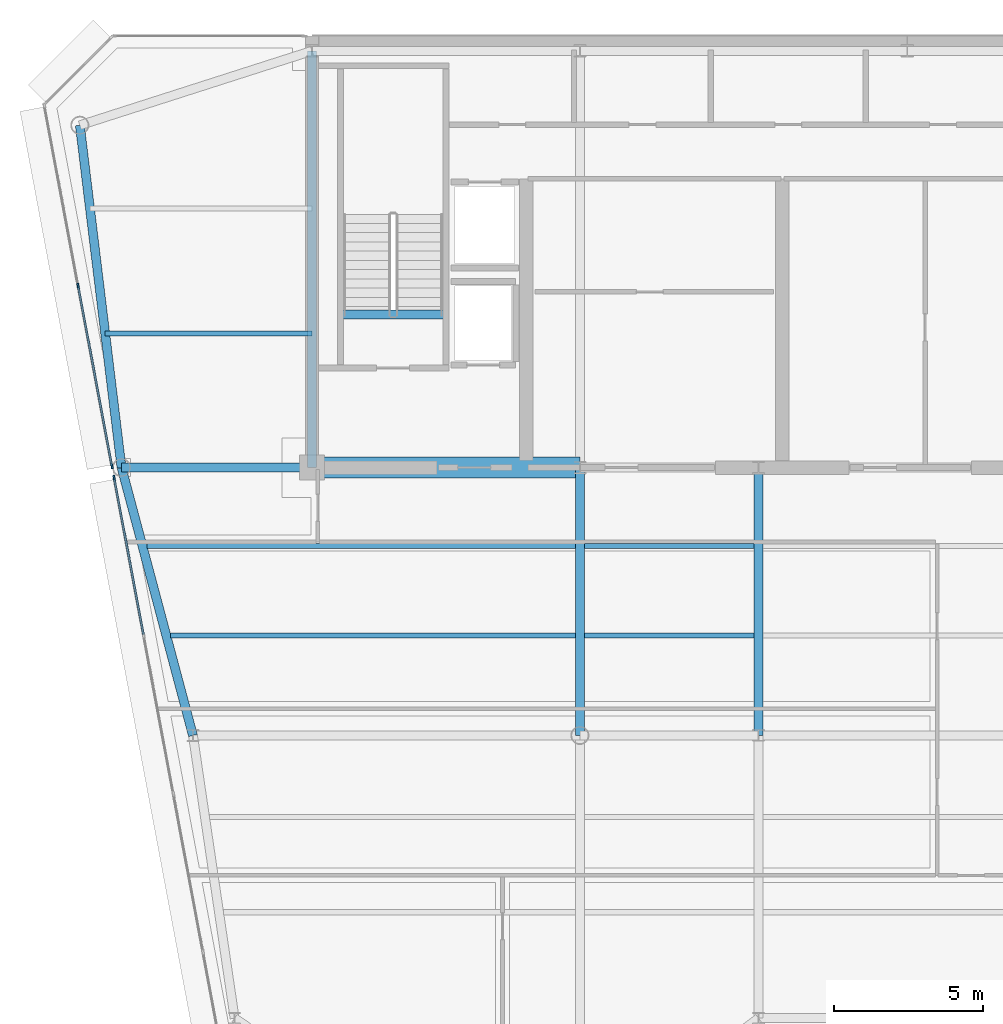
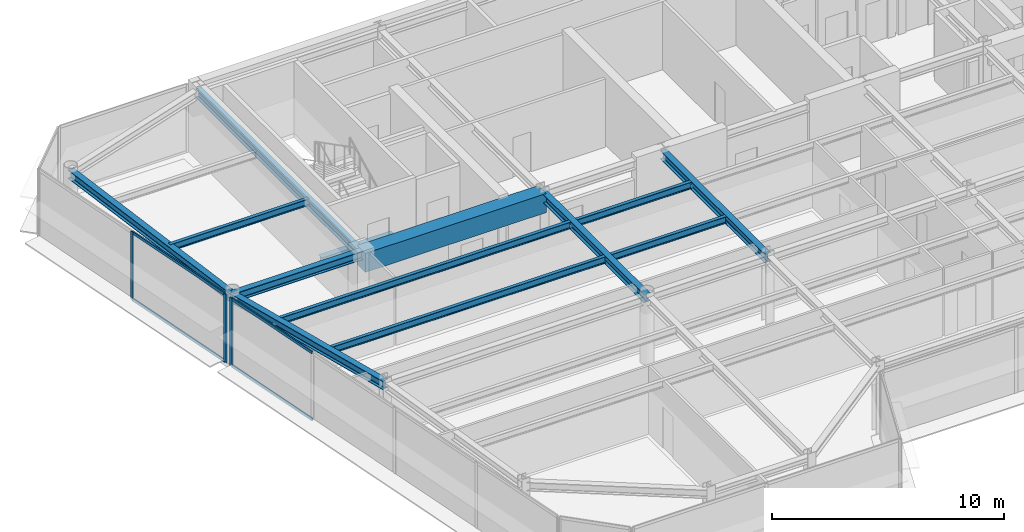
# One storey, part 4 of 20: 13 beams, 7 members, 2 elements without a shape of their own.
"""IFC4 building model written with IfcOpenShell, lengths in metres."""

from ifc_helpers import new_model, si_unit, direction, frame, origin, origin_2d, place, context, subcontext, project, spatial, rectangle, i_section, extrude, source, transform, mapped, material, layer, layer_set, material_profile, profile_set, type_object, element, aggregate, save


model = new_model("IFC4")

# Units and contexts
model_context = context("Model", 3, precision=1e-05, world=origin(), true_north=direction((0.0, 1.0)))
body_context = subcontext(model_context, "Body", "Model", "MODEL_VIEW")
ifc_project = project(units=[si_unit("LENGTHUNIT", "METRE"), si_unit("AREAUNIT", "SQUARE_METRE"), si_unit("VOLUMEUNIT", "CUBIC_METRE"), si_unit("PLANEANGLEUNIT", "RADIAN"), si_unit("MASSUNIT", "GRAM", prefix="KILO")], contexts=[model_context])

# Site, building, storey
site_placement = place(None, origin())
site = spatial("IfcSite", under=ifc_project, at=site_placement, CompositionType="ELEMENT")
building_placement = place(site_placement, origin())
building = spatial("IfcBuilding", under=site, at=building_placement, Name="Vaeldorn Concourse Tower", CompositionType="ELEMENT")
storey_placement = place(building_placement, frame((0.0, 0.0, 295.39990234375)))
storey = spatial("IfcBuildingStorey", under=building, at=storey_placement, Name="L76", CompositionType="ELEMENT", Elevation=295.39990234375)

# Beams
ifc_material_1 = material(Name="Concrete C50/60", Category="concrete")
ifc_material_profile_1 = material_profile(ifc_material_1, rectangle(XDim=0.699951171875, YDim=1.0, at=origin_2d()), Name="RC 700x1000")
ifc_profile_set_1 = profile_set([ifc_material_profile_1], Name="Concrete C50/60")
beam_type_1 = type_object("IfcBeamType", Name="BM-CB-RC700", PredefinedType="BEAM", material=ifc_profile_set_1)
shared_shape_1 = source(origin(), body_context, "Body", "SweptSolid", [
    extrude(rectangle(XDim=0.699951171875, YDim=1.0, at=origin_2d()), origin(), (0.0, 0.0, 1.0), 9.0),
])
beam_1_placement = place(storey_placement, frame((14.0, 36.5, 3.080078125), z_axis=(1.0, 0.0, 0.0), x_axis=(0.0, 1.0, 0.0)))
element("IfcBeam", 1, at=beam_1_placement, inside=storey, type_object=beam_type_1, Name="Core Coupling Beam L76-1", PredefinedType="BEAM", context=body_context, shape_type="MappedRepresentation", body=[
    mapped(shared_shape_1, transform((0.0, 0.0, 0.0), scale=1.0)),
])
ifc_material_2 = material(Name="Steel S355", Category="steel")
ifc_material_profile_2 = material_profile(ifc_material_2, i_section(OverallWidth=0.300048828125, OverallDepth=0.340087890625, WebThickness=0.011962890625, FlangeThickness=0.021484375, FilletRadius=0.027099609375, at=origin_2d()), Name="HEB 340")
ifc_profile_set_2 = profile_set([ifc_material_profile_2], Name="Steel S355")
beam_type_2 = type_object("IfcBeamType", Name="BM-ST-TRIM", PredefinedType="BEAM", material=ifc_profile_set_2)
shared_shape_2 = source(origin(), body_context, "Body", "SweptSolid", [
    extrude(i_section(OverallWidth=0.300048828125, OverallDepth=0.340087890625, WebThickness=0.011962890625, FlangeThickness=0.021484375, FilletRadius=0.027099609375, at=origin_2d()), origin(), (0.0, 0.0, 1.0), 3.590087890625),
])
beam_2_placement = place(storey_placement, frame((14.929931640625, 41.639892578125, -0.389892578125), z_axis=(1.0, 0.0, 0.0), x_axis=(0.0, 1.0, 0.0)))
element("IfcBeam", 2, at=beam_2_placement, inside=storey, type_object=beam_type_2, Name="Stair Landing Trimmer Beam ST-1 L76", PredefinedType="BEAM", context=body_context, shape_type="MappedRepresentation", body=[
    mapped(shared_shape_2, transform((0.0, 0.0, 0.0), scale=1.0)),
])
ifc_material_profile_3 = material_profile(ifc_material_2, i_section(OverallWidth=0.169921875, OverallDepth=0.360107421875, WebThickness=0.008056640625, FlangeThickness=0.0126953125, FilletRadius=0.01806640625, at=origin_2d()), Name="IPE 360")
ifc_profile_set_3 = profile_set([ifc_material_profile_3], Name="Steel S355")
beam_type_3 = type_object("IfcBeamType", Name="BM-JS-IPE360", PredefinedType="JOIST", material=ifc_profile_set_3)
shared_shape_3 = source(origin(), body_context, "Body", "SweptSolid", [
    extrude(i_section(OverallWidth=0.169921875, OverallDepth=0.360107421875, WebThickness=0.008056640625, FlangeThickness=0.0126953125, FilletRadius=0.01806640625, at=origin_2d()), origin(), (0.0, 0.0, 1.0), 6.94775390625),
])
beam_3_placement = place(storey_placement, frame((7.05224609375, 41.0, 3.400146484375), z_axis=(1.0, 0.0, 0.0), x_axis=(0.0, 1.0, 0.0)))
element("IfcBeam", 3, at=beam_3_placement, inside=storey, type_object=beam_type_3, Name="Beam JS-L76-NW-410", PredefinedType="JOIST", context=body_context, shape_type="MappedRepresentation", body=[
    mapped(shared_shape_3, transform((0.0, 0.0, 0.0), scale=1.0)),
])
shared_shape_4 = source(origin(), body_context, "Body", "SweptSolid", [
    extrude(i_section(OverallWidth=0.169921875, OverallDepth=0.360107421875, WebThickness=0.008056640625, FlangeThickness=0.0126953125, FilletRadius=0.01806640625, at=origin_2d()), origin(), (0.0, 0.0, 1.0), 5.7001953125),
])
for number, where, z_axis, x_axis, name in (
    (4, (23.14990234375, 30.860107421875, 3.400146484375), (1.0, 0.0, 0.0), (0.0, 1.0, 0.0), "Beam JS-L76-W2-308"),
    (5, (23.14990234375, 33.860107421875, 3.400146484375), (1.0, 0.0, 0.0), (0.0, 1.0, 0.0), "Beam JS-L76-W2-338"),
):
    element("IfcBeam", number, at=place(storey_placement, frame(where, z_axis=z_axis, x_axis=x_axis)), inside=storey, type_object=beam_type_3, Name=name, PredefinedType="JOIST", context=body_context, shape_type="MappedRepresentation", body=[
        mapped(shared_shape_4, transform((0.0, 0.0, 0.0), scale=1.0)),
    ])
shared_shape_5 = source(origin(), body_context, "Body", "SweptSolid", [
    extrude(i_section(OverallWidth=0.169921875, OverallDepth=0.360107421875, WebThickness=0.008056640625, FlangeThickness=0.0126953125, FilletRadius=0.01806640625, at=origin_2d()), origin(), (0.0, 0.0, 1.0), 13.59619140625),
])
beam_4_placement = place(storey_placement, frame((9.25390625, 30.860107421875, 3.400146484375), z_axis=(1.0, 0.0, 0.0), x_axis=(0.0, 1.0, 0.0)))
element("IfcBeam", 6, at=beam_4_placement, inside=storey, type_object=beam_type_3, Name="Beam JS-L76-W1-308", PredefinedType="JOIST", context=body_context, shape_type="MappedRepresentation", body=[
    mapped(shared_shape_5, transform((0.0, 0.0, 0.0), scale=1.0)),
])
shared_shape_6 = source(origin(), body_context, "Body", "SweptSolid", [
    extrude(i_section(OverallWidth=0.169921875, OverallDepth=0.360107421875, WebThickness=0.008056640625, FlangeThickness=0.0126953125, FilletRadius=0.01806640625, at=origin_2d()), origin(), (0.0, 0.0, 1.0), 14.39599609375),
])
beam_5_placement = place(storey_placement, frame((8.4541015625, 33.860107421875, 3.400146484375), z_axis=(1.0, 0.0, 0.0), x_axis=(0.0, 1.0, 0.0)))
element("IfcBeam", 7, at=beam_5_placement, inside=storey, type_object=beam_type_3, Name="Beam JS-L76-W1-338", PredefinedType="JOIST", context=body_context, shape_type="MappedRepresentation", body=[
    mapped(shared_shape_6, transform((0.0, 0.0, 0.0), scale=1.0)),
])
ifc_material_profile_4 = material_profile(ifc_material_2, i_section(OverallWidth=0.300048828125, OverallDepth=0.449951171875, WebThickness=0.013916015625, FlangeThickness=0.02587890625, FilletRadius=0.027099609375, at=origin_2d()), Name="HEB 450")
ifc_profile_set_4 = profile_set([ifc_material_profile_4], Name="Steel S355")
beam_type_4 = type_object("IfcBeamType", Name="BM-PG-HEB450", PredefinedType="BEAM", material=ifc_profile_set_4)
shared_shape_7 = source(origin(), body_context, "Body", "SweptSolid", [
    extrude(i_section(OverallWidth=0.300048828125, OverallDepth=0.449951171875, WebThickness=0.013916015625, FlangeThickness=0.02587890625, FilletRadius=0.027099609375, at=origin_2d()), origin(), (0.0, 0.0, 1.0), 9.0),
])
for number, where, z_axis, x_axis, name in (
    (8, (23.0, 27.5, 3.35498046875), (0.0, 1.0, 0.0), (-1.0, 0.0, 0.0), "Beam BM-L76-C-TW1-C-FC2"),
    (9, (29.0, 27.5, 3.35498046875), (0.0, 1.0, 0.0), (-1.0, 0.0, 0.0), "Beam BM-L76-C-TW2-C-FC3"),
):
    element("IfcBeam", number, at=place(storey_placement, frame(where, z_axis=z_axis, x_axis=x_axis)), inside=storey, type_object=beam_type_4, Name=name, PredefinedType="BEAM", context=body_context, shape_type="MappedRepresentation", body=[
        mapped(shared_shape_7, transform((0.0, 0.0, 0.0), scale=1.0)),
    ])
shared_shape_8 = source(origin(), body_context, "Body", "SweptSolid", [
    extrude(i_section(OverallWidth=0.300048828125, OverallDepth=0.449951171875, WebThickness=0.013916015625, FlangeThickness=0.02587890625, FilletRadius=0.027099609375, at=origin_2d()), origin(), (0.0, 0.0, 1.0), 14.0),
])
beam_6_placement = place(storey_placement, frame((14.0, 36.5, 3.35498046875), z_axis=(0.0, 1.0, 0.0), x_axis=(-1.0, 0.0, 0.0)))
element("IfcBeam", 10, at=beam_6_placement, inside=storey, type_object=beam_type_4, Name="Beam BM-L76-C-FC1-C-HC1", PredefinedType="BEAM", context=body_context, shape_type="MappedRepresentation", body=[
    mapped(shared_shape_8, transform((0.0, 0.0, 0.0), scale=1.0)),
])
shared_shape_9 = source(origin(), body_context, "Body", "SweptSolid", [
    extrude(i_section(OverallWidth=0.300048828125, OverallDepth=0.449951171875, WebThickness=0.013916015625, FlangeThickness=0.02587890625, FilletRadius=0.027099609375, at=origin_2d()), origin(), (0.0, 0.0, 1.0), 11.5849609375),
])
beam_7_placement = place(storey_placement, frame((6.199951171875, 48.0, 3.35498046875), z_axis=(0.120859382899, -0.992669637677, 0.0), x_axis=(0.992669637677, 0.120859382899, 0.0)))
element("IfcBeam", 11, at=beam_7_placement, inside=storey, type_object=beam_type_4, Name="Beam BM-L76-C-NW1-C-NW2", PredefinedType="BEAM", context=body_context, shape_type="MappedRepresentation", body=[
    mapped(shared_shape_9, transform((0.0, 0.0, 0.0), scale=1.0)),
])
shared_shape_10 = source(origin(), body_context, "Body", "SweptSolid", [
    extrude(i_section(OverallWidth=0.300048828125, OverallDepth=0.449951171875, WebThickness=0.013916015625, FlangeThickness=0.02587890625, FilletRadius=0.027099609375, at=origin_2d()), origin(), (0.0, 0.0, 1.0), 6.39990234375),
])
beam_8_placement = place(storey_placement, frame((7.60009765625, 36.5, 3.35498046875), z_axis=(1.0, 0.0, 0.0), x_axis=(0.0, 1.0, 0.0)))
element("IfcBeam", 12, at=beam_8_placement, inside=storey, type_object=beam_type_4, Name="Beam BM-L76-C-NW2-C-FC1", PredefinedType="BEAM", context=body_context, shape_type="MappedRepresentation", body=[
    mapped(shared_shape_10, transform((0.0, 0.0, 0.0), scale=1.0)),
])
shared_shape_11 = source(origin(), body_context, "Body", "SweptSolid", [
    extrude(i_section(OverallWidth=0.300048828125, OverallDepth=0.449951171875, WebThickness=0.013916015625, FlangeThickness=0.02587890625, FilletRadius=0.027099609375, at=origin_2d()), origin(), (0.0, 0.0, 1.0), 9.314453125),
])
beam_9_placement = place(storey_placement, frame((7.60009765625, 36.5, 3.35498046875), z_axis=(0.257652862255, -0.966237549763, 0.0), x_axis=(0.966237549763, 0.257652862255, 0.0)))
element("IfcBeam", 13, at=beam_9_placement, inside=storey, type_object=beam_type_4, Name="Beam BM-L76-C-NW2-C-FLW1", PredefinedType="BEAM", context=body_context, shape_type="MappedRepresentation", body=[
    mapped(shared_shape_11, transform((0.0, 0.0, 0.0), scale=1.0)),
])

# Curtain wall, members
ifc_material_3 = material(Name="Anodised Bronze Aluminium", Category="aluminium")
ifc_layer = layer(ifc_material_3, 0.179931640625)
ifc_layer_set = layer_set([ifc_layer], Name="Anodised Bronze Aluminium")
curtain_wall_type = type_object("IfcCurtainWallType", Name="CW-SYS-05", PredefinedType="NOTDEFINED", material=ifc_layer_set)
curtain_wall_1_placement = place(storey_placement, origin())
curtain_wall_1 = element("IfcCurtainWall", 14, at=curtain_wall_1_placement, inside=storey, type_object=curtain_wall_type, Name="Unitised Curtain Wall CW-L76-E11-1", PredefinedType="NOTDEFINED")
ifc_material_profile_5 = material_profile(ifc_material_3, rectangle(XDim=0.06494140625, YDim=0.169921875, at=origin_2d()), Name="CWM 65x170")
ifc_profile_set_5 = profile_set([ifc_material_profile_5], Name="Anodised Bronze Aluminium")
member_type_1 = type_object("IfcMemberType", Name="CWM-BRONZE-170", PredefinedType="MULLION", material=ifc_profile_set_5)
shared_shape_12 = source(origin(), body_context, "Body", "SweptSolid", [
    extrude(rectangle(XDim=0.06494140625, YDim=0.169921875, at=origin_2d()), origin(), (0.0, 0.0, 1.0), 3.580078125),
])
member_1_placement = place(storey_placement, frame((6.142578125, 42.605224609375, 0.0), z_axis=(0.0, 0.0, 1.0), x_axis=(0.982880218842, 0.184245693053, 0.0)))
member_1 = element("IfcMember", 15, at=member_1_placement, type_object=member_type_1, Name="CW-05 mullion 2", PredefinedType="MULLION", context=body_context, shape_type="MappedRepresentation", body=[
    mapped(shared_shape_12, transform((0.0, 0.0, 0.0), scale=1.0)),
])
member_2_placement = place(storey_placement, frame((7.279052734375, 36.542236328125, 0.0), z_axis=(0.0, 0.0, 1.0), x_axis=(0.982880218842, 0.184245693053, 0.0)))
member_2 = element("IfcMember", 16, at=member_2_placement, type_object=member_type_1, Name="CW-05 mullion 3", PredefinedType="MULLION", context=body_context, shape_type="MappedRepresentation", body=[
    mapped(shared_shape_12, transform((0.0, 0.0, 0.0), scale=1.0)),
])

curtain_wall_2_placement = place(storey_placement, origin())
curtain_wall_2 = element("IfcCurtainWall", 17, at=curtain_wall_2_placement, inside=storey, type_object=curtain_wall_type, Name="Unitised Curtain Wall CW-L76-E11-2", PredefinedType="NOTDEFINED")
member_3_placement = place(storey_placement, frame((7.35205078125, 36.153076171875, 0.0), z_axis=(0.0, 0.0, 1.0), x_axis=(0.982880027444, 0.184246714088, 0.0)))
member_3 = element("IfcMember", 18, at=member_3_placement, type_object=member_type_1, Name="CW-05 mullion 1", PredefinedType="MULLION", context=body_context, shape_type="MappedRepresentation", body=[
    mapped(shared_shape_12, transform((0.0, 0.0, 0.0), scale=1.0)),
])
ifc_material_profile_6 = material_profile(ifc_material_3, rectangle(XDim=0.06494140625, YDim=0.14990234375, at=origin_2d()), Name="CWT 65x150")
ifc_profile_set_6 = profile_set([ifc_material_profile_6], Name="Anodised Bronze Aluminium")
member_type_2 = type_object("IfcMemberType", Name="CWT-BRONZE-150", PredefinedType="USERDEFINED", material=ifc_profile_set_6)
shared_shape_13 = source(origin(), body_context, "Body", "SweptSolid", [
    extrude(rectangle(XDim=0.06494140625, YDim=0.14990234375, at=origin_2d()), origin(), (0.0, 0.0, 1.0), 5.31640625),
])
member_4_placement = place(storey_placement, frame((7.35791015625, 36.12109375, 0.03271484375), z_axis=(0.184241399207, -0.982881023735, 0.0), x_axis=(0.982881023735, 0.184241399207, 0.0)))
member_4 = element("IfcMember", 19, at=member_4_placement, type_object=member_type_2, Name="CW-05 transom 1.1", ObjectType="TRANSOM", PredefinedType="USERDEFINED", context=body_context, shape_type="MappedRepresentation", body=[
    mapped(shared_shape_13, transform((0.0, 0.0, 0.0), scale=1.0)),
])
member_5_placement = place(storey_placement, frame((7.35791015625, 36.12109375, 3.547607421875), z_axis=(0.184241399207, -0.982881023735, 0.0), x_axis=(0.982881023735, 0.184241399207, 0.0)))
member_5 = element("IfcMember", 20, at=member_5_placement, type_object=member_type_2, Name="CW-05 transom 1.2", ObjectType="TRANSOM", PredefinedType="USERDEFINED", context=body_context, shape_type="MappedRepresentation", body=[
    mapped(shared_shape_13, transform((0.0, 0.0, 0.0), scale=1.0)),
])
aggregate(curtain_wall_2, [member_3, member_4, member_5])

# Member
shared_shape_14 = source(origin(), body_context, "Body", "SweptSolid", [
    extrude(rectangle(XDim=0.06494140625, YDim=0.14990234375, at=origin_2d()), origin(), (0.0, 0.0, 1.0), 6.103515625),
])
member_6_placement = place(storey_placement, frame((6.1484375, 42.5732421875, 0.03271484375), z_axis=(0.18424023288, -0.982881242363, 0.0), x_axis=(0.982881242363, 0.18424023288, 0.0)))
member_6 = element("IfcMember", 21, at=member_6_placement, type_object=member_type_2, Name="CW-05 transom 2.1", ObjectType="TRANSOM", PredefinedType="USERDEFINED", context=body_context, shape_type="MappedRepresentation", body=[
    mapped(shared_shape_14, transform((0.0, 0.0, 0.0), scale=1.0)),
])

member_7_placement = place(storey_placement, frame((6.1484375, 42.5732421875, 3.547607421875), z_axis=(0.18424023288, -0.982881242363, 0.0), x_axis=(0.982881242363, 0.18424023288, 0.0)))
member_7 = element("IfcMember", 22, at=member_7_placement, type_object=member_type_2, Name="CW-05 transom 2.2", ObjectType="TRANSOM", PredefinedType="USERDEFINED", context=body_context, shape_type="MappedRepresentation", body=[
    mapped(shared_shape_14, transform((0.0, 0.0, 0.0), scale=1.0)),
])

aggregate(curtain_wall_1, [member_1, member_2, member_6, member_7])

save(model, "model.ifc")
